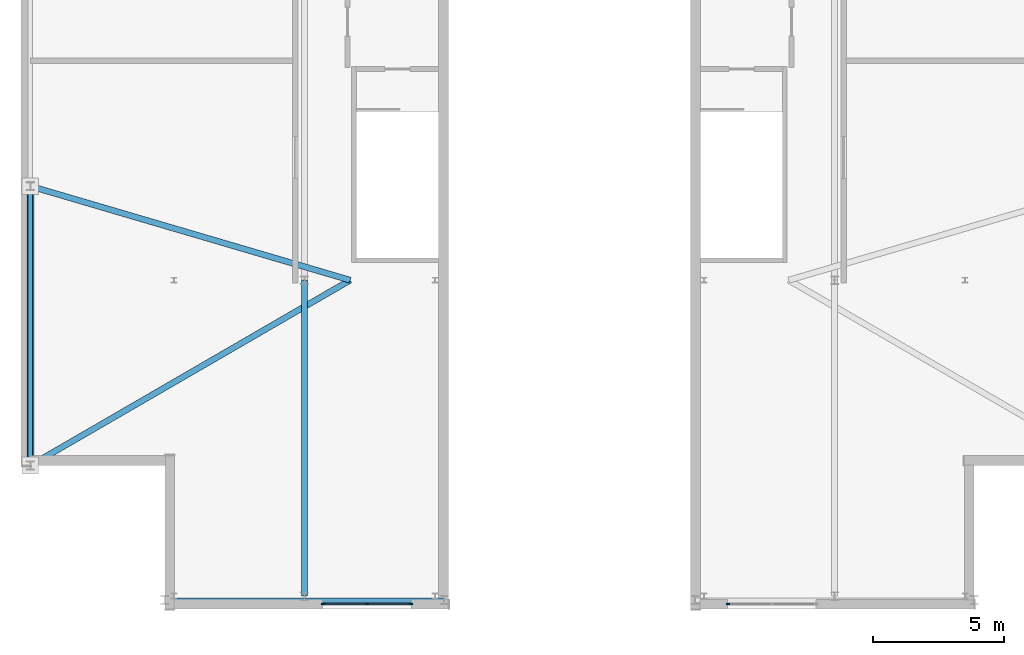
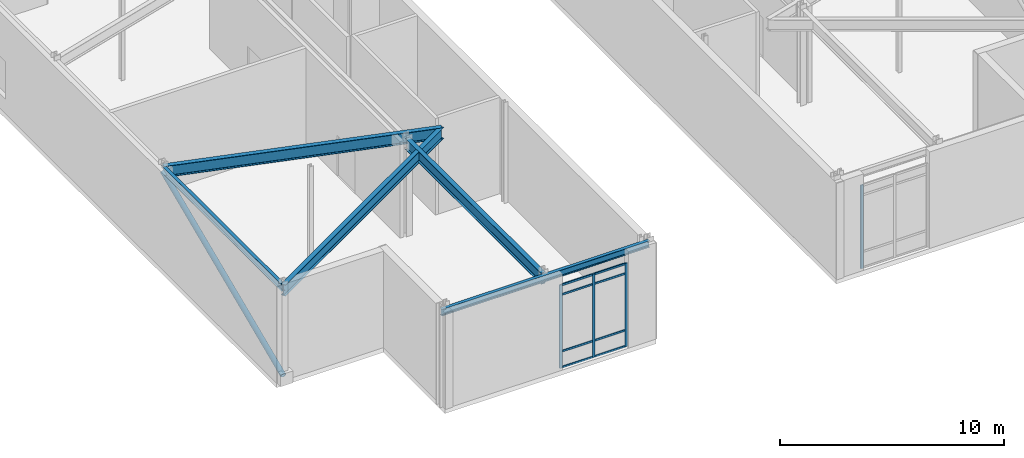
# One storey, part 7 of 14: 13 members, 5 beams, 2 elements without a shape of their own.
"""IFC4 building model written with IfcOpenShell, lengths in metres."""

from ifc_helpers import new_model, si_unit, direction, frame, origin, origin_2d, place, context, subcontext, project, spatial, rectangle, hollow_circle, i_section, extrude, material, layer, layer_set, material_profile, profile_set, type_object, element, aggregate, save


model = new_model("IFC4")

# Units and contexts
model_context = context("Model", 3, precision=1e-05, world=origin(), true_north=direction((0.0, 1.0)))
body_context = subcontext(model_context, "Body", "Model", "MODEL_VIEW")
ifc_project = project(units=[si_unit("LENGTHUNIT", "METRE"), si_unit("AREAUNIT", "SQUARE_METRE"), si_unit("VOLUMEUNIT", "CUBIC_METRE"), si_unit("PLANEANGLEUNIT", "RADIAN"), si_unit("MASSUNIT", "GRAM", prefix="KILO")], contexts=[model_context])

# Site, building, storey
site_placement = place(None, origin())
site = spatial("IfcSite", under=ifc_project, at=site_placement, CompositionType="ELEMENT")
building_placement = place(site_placement, origin())
building = spatial("IfcBuilding", under=site, at=building_placement, Name="Cairnveth Concourse Tower", CompositionType="ELEMENT")
storey_placement = place(building_placement, frame((0.0, 0.0, 330.0)))
storey = spatial("IfcBuildingStorey", under=building, at=storey_placement, Name="L90", CompositionType="ELEMENT", Elevation=330.0)

# Curtain wall, members
ifc_material_1 = material(Name="Architectural Bronze Anodised Aluminium 6063-T6", Category="aluminium")
ifc_layer = layer(ifc_material_1, 0.320068359375)
ifc_layer_set = layer_set([ifc_layer], Name="Architectural Bronze Anodised Aluminium 6063-T6")
curtain_wall_type = type_object("IfcCurtainWallType", Name="CROWN LANTERN GABLE CURTAIN WALL", PredefinedType="USERDEFINED", material=ifc_layer_set)
curtain_wall_1_placement = place(storey_placement, origin())
curtain_wall_1 = element("IfcCurtainWall", 1, at=curtain_wall_1_placement, inside=storey, type_object=curtain_wall_type, Name="Curtain Wall CW-L90-CROWN-W7", ObjectType="SHOPFRONT GLAZING", PredefinedType="USERDEFINED")
ifc_material_profile_1 = material_profile(ifc_material_1, rectangle(XDim=0.06005859375, YDim=0.135009765625, at=origin_2d()), Name="AL-MUL-60x135")
ifc_profile_set_1 = profile_set([ifc_material_profile_1], Name="Architectural Bronze Anodised Aluminium 6063-T6")
member_type_1 = type_object("IfcMemberType", Name="BRONZE CURTAIN WALL MULLION AL-MUL-60x135", PredefinedType="MULLION", material=ifc_profile_set_1)
member_1_placement = place(storey_placement, frame((45.93505859375, 18.18994140625, 0.0), z_axis=(0.0, 0.0, 1.0), x_axis=(0.0, -1.0, 0.0)))
member_1 = element("IfcMember", 2, at=member_1_placement, type_object=member_type_1, Name="CWS6 mullion 1", PredefinedType="MULLION", context=body_context, shape_type="SweptSolid", body=[
    extrude(rectangle(XDim=0.06005859375, YDim=0.135009765625, at=origin_2d()), origin(), (0.0, 0.0, 1.0), 4.5380859375),
])
member_2_placement = place(storey_placement, frame((44.25, 18.18994140625, 0.0), z_axis=(0.0, 0.0, 1.0), x_axis=(0.0, -1.0, 0.0)))
member_2 = element("IfcMember", 3, at=member_2_placement, type_object=member_type_1, Name="CWS6 mullion 2", PredefinedType="MULLION", context=body_context, shape_type="SweptSolid", body=[
    extrude(rectangle(XDim=0.06005859375, YDim=0.135009765625, at=origin_2d()), origin(), (0.0, 0.0, 1.0), 4.5380859375),
])
member_3_placement = place(storey_placement, frame((42.56494140625, 18.18994140625, 0.0), z_axis=(0.0, 0.0, 1.0), x_axis=(0.0, -1.0, 0.0)))
member_3 = element("IfcMember", 4, at=member_3_placement, type_object=member_type_1, Name="CWS6 mullion 3", PredefinedType="MULLION", context=body_context, shape_type="SweptSolid", body=[
    extrude(rectangle(XDim=0.06005859375, YDim=0.135009765625, at=origin_2d()), origin(), (0.0, 0.0, 1.0), 4.5380859375),
])

# Curtain wall, member
curtain_wall_2_placement = place(storey_placement, origin())
curtain_wall_2 = element("IfcCurtainWall", 5, at=curtain_wall_2_placement, inside=storey, type_object=curtain_wall_type, Name="Curtain Wall CW-L90-CROWN-E7", ObjectType="SHOPFRONT GLAZING", PredefinedType="USERDEFINED")
member_4_placement = place(storey_placement, frame((58.06494140625, 18.18994140625, 0.0), z_axis=(0.0, 0.0, 1.0), x_axis=(0.0, -1.0, 0.0)))
member_4 = element("IfcMember", 6, at=member_4_placement, type_object=member_type_1, Name="CWS6 mullion 3", PredefinedType="MULLION", context=body_context, shape_type="SweptSolid", body=[
    extrude(rectangle(XDim=0.06005859375, YDim=0.135009765625, at=origin_2d()), origin(), (0.0, 0.0, 1.0), 4.5380859375),
])
aggregate(curtain_wall_2, [member_4])

# Member
ifc_material_profile_2 = material_profile(ifc_material_1, rectangle(XDim=0.06005859375, YDim=0.10498046875, at=origin_2d()), Name="AL-TRN-60x105")
ifc_profile_set_2 = profile_set([ifc_material_profile_2], Name="Architectural Bronze Anodised Aluminium 6063-T6")
member_type_2 = type_object("IfcMemberType", Name="BRONZE CURTAIN WALL TRANSOM AL-TRN-60x105", PredefinedType="USERDEFINED", material=ifc_profile_set_2)
member_5_placement = place(storey_placement, frame((45.905029296875, 18.18994140625, 0.030029296875), z_axis=(-1.0, 0.0, 0.0), x_axis=(0.0, -1.0, 0.0)))
member_5 = element("IfcMember", 7, at=member_5_placement, type_object=member_type_2, Name="CWS6 transom 1.1", ObjectType="TRANSOM", PredefinedType="USERDEFINED", context=body_context, shape_type="SweptSolid", body=[
    extrude(rectangle(XDim=0.06005859375, YDim=0.10498046875, at=origin_2d()), origin(), (0.0, 0.0, 1.0), 1.625),
])

member_6_placement = place(storey_placement, frame((45.905029296875, 18.18994140625, 0.89990234375), z_axis=(-1.0, 0.0, 0.0), x_axis=(0.0, -1.0, 0.0)))
member_6 = element("IfcMember", 8, at=member_6_placement, type_object=member_type_2, Name="CWS6 transom 1.2", ObjectType="TRANSOM", PredefinedType="USERDEFINED", context=body_context, shape_type="SweptSolid", body=[
    extrude(rectangle(XDim=0.06005859375, YDim=0.10498046875, at=origin_2d()), origin(), (0.0, 0.0, 1.0), 1.625),
])

member_7_placement = place(storey_placement, frame((45.905029296875, 18.18994140625, 3.988037109375), z_axis=(-1.0, 0.0, 0.0), x_axis=(0.0, -1.0, 0.0)))
member_7 = element("IfcMember", 9, at=member_7_placement, type_object=member_type_2, Name="CWS6 transom 1.3", ObjectType="TRANSOM", PredefinedType="USERDEFINED", context=body_context, shape_type="SweptSolid", body=[
    extrude(rectangle(XDim=0.06005859375, YDim=0.10498046875, at=origin_2d()), origin(), (0.0, 0.0, 1.0), 1.625),
])

member_8_placement = place(storey_placement, frame((45.905029296875, 18.18994140625, 4.508056640625), z_axis=(-1.0, 0.0, 0.0), x_axis=(0.0, -1.0, 0.0)))
member_8 = element("IfcMember", 10, at=member_8_placement, type_object=member_type_2, Name="CWS6 transom 1.4", ObjectType="TRANSOM", PredefinedType="USERDEFINED", context=body_context, shape_type="SweptSolid", body=[
    extrude(rectangle(XDim=0.06005859375, YDim=0.10498046875, at=origin_2d()), origin(), (0.0, 0.0, 1.0), 1.625),
])

member_9_placement = place(storey_placement, frame((44.219970703125, 18.18994140625, 0.030029296875), z_axis=(-1.0, 0.0, 0.0), x_axis=(0.0, -1.0, 0.0)))
member_9 = element("IfcMember", 11, at=member_9_placement, type_object=member_type_2, Name="CWS6 transom 2.1", ObjectType="TRANSOM", PredefinedType="USERDEFINED", context=body_context, shape_type="SweptSolid", body=[
    extrude(rectangle(XDim=0.06005859375, YDim=0.10498046875, at=origin_2d()), origin(), (0.0, 0.0, 1.0), 1.625),
])

member_10_placement = place(storey_placement, frame((44.219970703125, 18.18994140625, 0.89990234375), z_axis=(-1.0, 0.0, 0.0), x_axis=(0.0, -1.0, 0.0)))
member_10 = element("IfcMember", 12, at=member_10_placement, type_object=member_type_2, Name="CWS6 transom 2.2", ObjectType="TRANSOM", PredefinedType="USERDEFINED", context=body_context, shape_type="SweptSolid", body=[
    extrude(rectangle(XDim=0.06005859375, YDim=0.10498046875, at=origin_2d()), origin(), (0.0, 0.0, 1.0), 1.625),
])

member_11_placement = place(storey_placement, frame((44.219970703125, 18.18994140625, 3.988037109375), z_axis=(-1.0, 0.0, 0.0), x_axis=(0.0, -1.0, 0.0)))
member_11 = element("IfcMember", 13, at=member_11_placement, type_object=member_type_2, Name="CWS6 transom 2.3", ObjectType="TRANSOM", PredefinedType="USERDEFINED", context=body_context, shape_type="SweptSolid", body=[
    extrude(rectangle(XDim=0.06005859375, YDim=0.10498046875, at=origin_2d()), origin(), (0.0, 0.0, 1.0), 1.625),
])

member_12_placement = place(storey_placement, frame((44.219970703125, 18.18994140625, 4.508056640625), z_axis=(-1.0, 0.0, 0.0), x_axis=(0.0, -1.0, 0.0)))
member_12 = element("IfcMember", 14, at=member_12_placement, type_object=member_type_2, Name="CWS6 transom 2.4", ObjectType="TRANSOM", PredefinedType="USERDEFINED", context=body_context, shape_type="SweptSolid", body=[
    extrude(rectangle(XDim=0.06005859375, YDim=0.10498046875, at=origin_2d()), origin(), (0.0, 0.0, 1.0), 1.625),
])

aggregate(curtain_wall_1, [member_1, member_2, member_3, member_5, member_6, member_7, member_8, member_9, member_10, member_11, member_12])

ifc_material_2 = material(Name="Steel C350L0 (350 MPa)", Category="steel")
ifc_material_profile_3 = material_profile(ifc_material_2, hollow_circle(Radius=0.136474609375, WallThickness=0.0126953125, at=origin_2d()), Name="273.1x12.7CHS")
ifc_profile_set_3 = profile_set([ifc_material_profile_3], Name="Steel C350L0 (350 MPa)")
member_type_3 = type_object("IfcMemberType", Name="CROWN PORTAL STRUT 273.1X12.7CHS", PredefinedType="STRUT", material=ifc_profile_set_3)
member_13_placement = place(storey_placement, frame((31.35009765625, 23.5, 0.300048828125), z_axis=(0.0, 0.918704252821, 0.394946193611), x_axis=(-1.0, 0.0, 0.0)))
element("IfcMember", 15, at=member_13_placement, inside=storey, type_object=member_type_3, Name="Structural Brace CSR-W1 L90", PredefinedType="STRUT", context=body_context, shape_type="SweptSolid", body=[
    extrude(hollow_circle(Radius=0.136474609375, WallThickness=0.0126953125, at=origin_2d()), origin(), (0.0, 0.0, 1.0), 11.646728515625),
])

# Beams
ifc_material_3 = material(Name="Steel Grade 350", Category="steel")
ifc_material_profile_4 = material_profile(ifc_material_3, i_section(OverallWidth=0.22900390625, OverallDepth=0.612060546875, WebThickness=0.011962890625, FlangeThickness=0.01953125, FilletRadius=0.013916015625, at=origin_2d()), Name="610UB125")
ifc_profile_set_4 = profile_set([ifc_material_profile_4], Name="Steel Grade 350")
beam_type_1 = type_object("IfcBeamType", Name="ZONE 4 RADIAL GIRDER 610UB125", PredefinedType="BEAM", material=ifc_profile_set_4)
beam_1_placement = place(storey_placement, frame((31.35009765625, 23.5, 4.944091796875), z_axis=(0.86518141842, 0.501458984584, 0.0), x_axis=(-0.501458984584, 0.86518141842, 0.0)))
element("IfcBeam", 16, at=beam_1_placement, inside=storey, type_object=beam_type_1, Name="Beam CB-W1 L90", PredefinedType="BEAM", context=body_context, shape_type="SweptSolid", body=[
    extrude(i_section(OverallWidth=0.22900390625, OverallDepth=0.612060546875, WebThickness=0.011962890625, FlangeThickness=0.01953125, FilletRadius=0.013916015625, at=origin_2d()), origin(), (0.0, 0.0, 1.0), 14.158935546875),
])
beam_2_placement = place(storey_placement, frame((31.35009765625, 34.199951171875, 4.944091796875), z_axis=(0.959430938842, -0.281943741893, 0.0), x_axis=(0.281943741893, 0.959430938842, 0.0)))
element("IfcBeam", 17, at=beam_2_placement, inside=storey, type_object=beam_type_1, Name="Beam CB-W2 L90", PredefinedType="BEAM", context=body_context, shape_type="SweptSolid", body=[
    extrude(i_section(OverallWidth=0.22900390625, OverallDepth=0.612060546875, WebThickness=0.011962890625, FlangeThickness=0.01953125, FilletRadius=0.013916015625, at=origin_2d()), origin(), (0.0, 0.0, 1.0), 12.76806640625),
])
beam_3_placement = place(storey_placement, frame((41.85009765625, 18.5, 4.944091796875), z_axis=(0.0, 1.0, 0.0), x_axis=(-1.0, 0.0, 0.0)))
element("IfcBeam", 18, at=beam_3_placement, inside=storey, type_object=beam_type_1, Name="Beam CB-WM1 L90", PredefinedType="BEAM", context=body_context, shape_type="SweptSolid", body=[
    extrude(i_section(OverallWidth=0.22900390625, OverallDepth=0.612060546875, WebThickness=0.011962890625, FlangeThickness=0.01953125, FilletRadius=0.013916015625, at=origin_2d()), origin(), (0.0, 0.0, 1.0), 12.10009765625),
])
ifc_material_profile_5 = material_profile(ifc_material_3, i_section(OverallWidth=0.172119140625, OverallDepth=0.35888671875, WebThickness=0.008056640625, FlangeThickness=0.012939453125, FilletRadius=0.010986328125, at=origin_2d()), Name="360UB56.7")
ifc_profile_set_5 = profile_set([ifc_material_profile_5], Name="Steel Grade 350")
beam_type_2 = type_object("IfcBeamType", Name="ZONE 4 SPANDREL BEAM 360UB56.7", PredefinedType="SPANDREL", material=ifc_profile_set_5)
for number, where, z_axis, x_axis, name in (
    (19, (36.5, 18.35009765625, 5.070556640625), (1.0, 0.0, 0.0), (0.0, 1.0, 0.0), "Beam CSP-WS L90"),
    (20, (31.35009765625, 23.5, 5.070556640625), (0.0, 1.0, 0.0), (-1.0, 0.0, 0.0), "Beam CSP-WW1 L90"),
):
    element("IfcBeam", number, at=place(storey_placement, frame(where, z_axis=z_axis, x_axis=x_axis)), inside=storey, type_object=beam_type_2, Name=name, PredefinedType="SPANDREL", context=body_context, shape_type="SweptSolid", body=[
        extrude(i_section(OverallWidth=0.172119140625, OverallDepth=0.35888671875, WebThickness=0.008056640625, FlangeThickness=0.012939453125, FilletRadius=0.010986328125, at=origin_2d()), origin(), (0.0, 0.0, 1.0), 10.699951171875),
    ])

save(model, "model.ifc")
